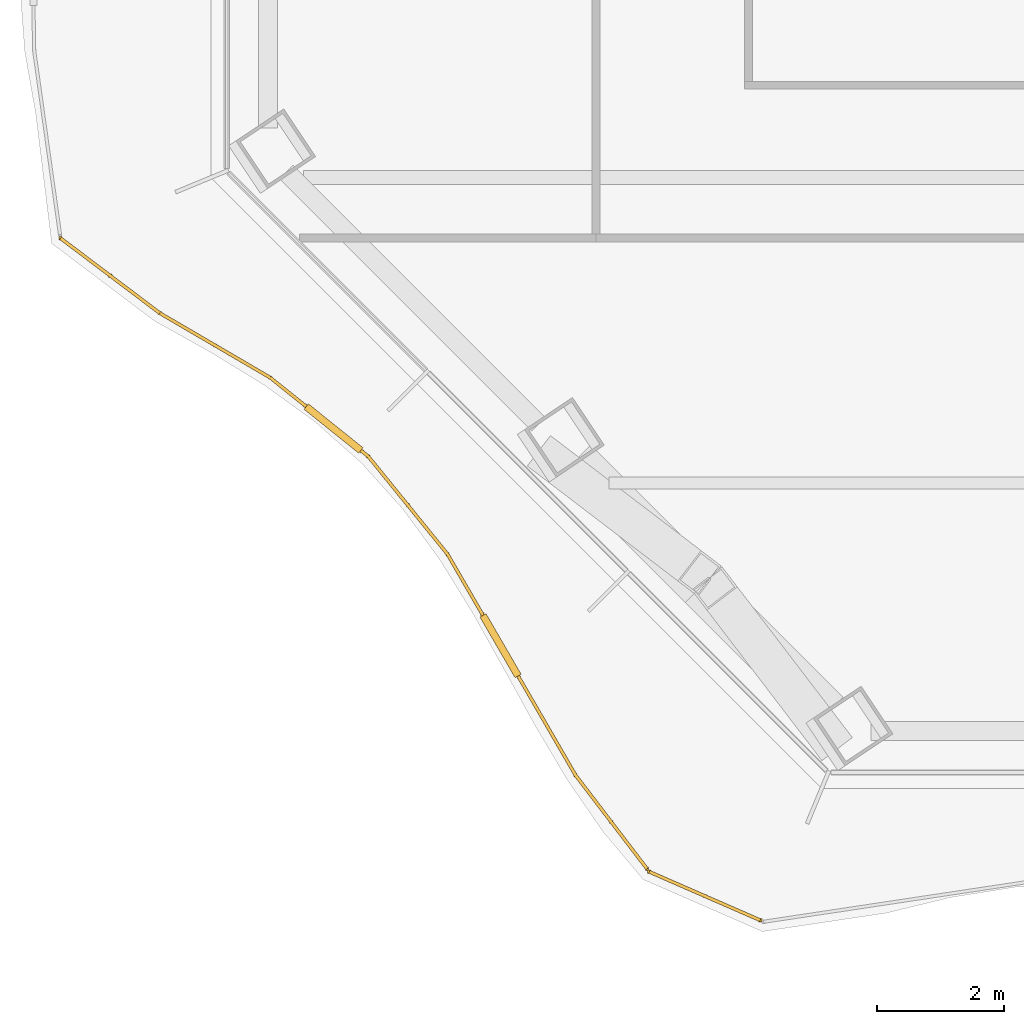
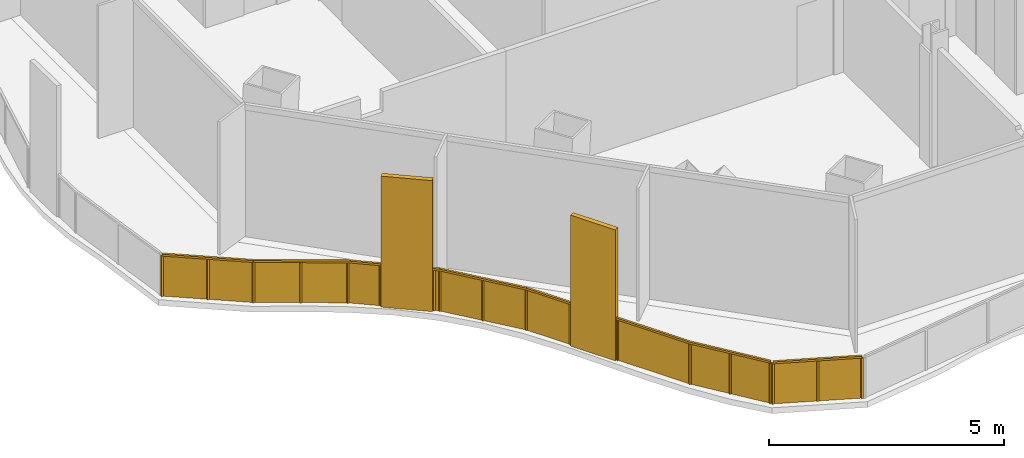
# One storey, part 14 of 20: 2 railings.
"""IFC4 building model written with IfcOpenShell, lengths in metres."""

from ifc_helpers import new_model, si_unit, direction, frame, origin, origin_2d, place, context, subcontext, project, spatial, polyline, rectangle, outline, extrude, material, type_object, element, save


model = new_model("IFC4")

# Units and contexts
model_context = context("Model", 3, precision=1e-05, world=origin(), true_north=direction((0.0, 1.0)))
body_context = subcontext(model_context, "Body", "Model", "MODEL_VIEW")
ifc_project = project(units=[si_unit("LENGTHUNIT", "METRE"), si_unit("AREAUNIT", "SQUARE_METRE"), si_unit("VOLUMEUNIT", "CUBIC_METRE"), si_unit("PLANEANGLEUNIT", "RADIAN"), si_unit("MASSUNIT", "GRAM", prefix="KILO")], contexts=[model_context])

# Site, building, storey
site_placement = place(None, origin())
site = spatial("IfcSite", under=ifc_project, at=site_placement, CompositionType="ELEMENT")
building_placement = place(site_placement, origin())
building = spatial("IfcBuilding", under=site, at=building_placement, Name="Cairn Pilgrim Tower", CompositionType="ELEMENT")
storey_placement = place(building_placement, frame((0.0, 0.0, 87.0)))
storey = spatial("IfcBuildingStorey", under=building, at=storey_placement, Name="L20", CompositionType="ELEMENT", Elevation=87.0)

# Railings
ifc_material_1 = material(Name="Bronze anodised aluminium rail and posts with laminated glass infill", Category="aluminium")
railing_type_1 = type_object("IfcRailingType", Name="BALCONY GUARD 1100", PredefinedType="GUARDRAIL", material=ifc_material_1)
railing_1_placement = place(storey_placement, frame((-21.90869140625, -25.310791015625, 0.0)))
element("IfcRailing", 1, at=railing_1_placement, inside=storey, type_object=railing_type_1, Name="Balcony guard BG-9", PredefinedType="GUARDRAIL", context=body_context, shape_type="SweptSolid", body=[
    extrude(rectangle(XDim=0.050048828125, YDim=0.050048828125, at=origin_2d()), frame((0.0, 0.0, 1.0751953125), z_axis=(0.916487156254, -0.400064110388, 0.0), x_axis=(0.400064110388, 0.916487156254, 0.0)), (0.0, 0.0, 1.0), 1.90087890625),
    extrude(rectangle(XDim=0.050048828125, YDim=0.050048828125, at=origin_2d()), origin(), (0.0, 0.0, 1.0), 1.050048828125),
    extrude(rectangle(XDim=0.050048828125, YDim=0.050048828125, at=origin_2d()), frame((0.87109375, -0.38037109375, 0.0)), (0.0, 0.0, 1.0), 1.050048828125),
    extrude(rectangle(XDim=0.050048828125, YDim=0.050048828125, at=origin_2d()), frame((1.7421875, -0.760498046875, 0.0)), (0.0, 0.0, 1.0), 1.050048828125),
    extrude(outline(polyline([(0.02490234375, 0.0), (0.925537109375, 0.0), (0.925537109375, 1.050048828125), (0.02490234375, 1.050048828125), (0.02490234375, 0.0)])), frame((0.00244140625, 0.00537109375, 0.0), z_axis=(-0.400064110388, -0.916487156254, 0.0), x_axis=(0.916487156254, -0.400064110388, 0.0)), (0.0, 0.0, 1.0), 0.011962890625),
    extrude(outline(polyline([(0.02490234375, 0.0), (0.925537109375, 0.0), (0.925537109375, 1.050048828125), (0.02490234375, 1.050048828125), (0.02490234375, 0.0)])), frame((0.87353515625, -0.374755859375, 0.0), z_axis=(-0.400064110388, -0.916487156254, 0.0), x_axis=(0.916487156254, -0.400064110388, 0.0)), (0.0, 0.0, 1.0), 0.011962890625),
])
ifc_material_2 = material(Name="Bronze anodised aluminium rail, posts and fin screens with laminated glass infill", Category="aluminium")
railing_type_2 = type_object("IfcRailingType", Name="BALCONY GUARD WITH FIN SCREENS", PredefinedType="GUARDRAIL", material=ifc_material_2)
railing_2_placement = place(storey_placement, frame((-31.16162109375, -15.353759765625, 0.0)))
element("IfcRailing", 2, at=railing_2_placement, inside=storey, type_object=railing_type_2, Name="Balcony guard BGF-8 with fin screens", PredefinedType="GUARDRAIL", context=body_context, shape_type="SweptSolid", body=[
    extrude(rectangle(XDim=0.050048828125, YDim=0.050048828125, at=origin_2d()), frame((0.0, 0.0, 1.0751953125), z_axis=(0.798272998618, -0.602295790852, 0.0), x_axis=(0.602295790852, 0.798272998618, 0.0)), (0.0, 0.0, 1.0), 1.95458984375),
    extrude(rectangle(XDim=0.050048828125, YDim=0.050048828125, at=origin_2d()), frame((1.560302734375, -1.17724609375, 1.0751953125), z_axis=(0.863443489761, -0.504445576835, 0.0), x_axis=(0.504445576835, 0.863443489761, 0.0)), (0.0, 0.0, 1.0), 2.007568359375),
    extrude(rectangle(XDim=1.10009765625, YDim=0.110107421875, at=origin_2d()), frame((4.2900390625, -2.990234375, 0.0), z_axis=(0.0, 0.0, 1.0), x_axis=(0.779699387019, -0.626154027283, 0.0)), (0.0, 0.0, 1.0), 3.39990234375),
    extrude(rectangle(XDim=0.050048828125, YDim=0.050048828125, at=origin_2d()), frame((3.293701171875, -2.18994140625, 1.0751953125), z_axis=(0.779699387019, -0.626154027283, 0.0), x_axis=(0.626154027283, 0.779699387019, 0.0)), (0.0, 0.0, 1.0), 0.72802734375),
    extrude(rectangle(XDim=0.050048828125, YDim=0.050048828125, at=origin_2d()), frame((4.718994140625, -3.33447265625, 1.0751953125), z_axis=(0.779699387019, -0.626154027283, 0.0), x_axis=(0.626154027283, 0.779699387019, 0.0)), (0.0, 0.0, 1.0), 0.150146484375),
    extrude(rectangle(XDim=0.050048828125, YDim=0.050048828125, at=origin_2d()), frame((4.8359375, -3.428466796875, 1.0751953125), z_axis=(0.629769752491, -0.77678186053, 0.0), x_axis=(0.77678186053, 0.629769752491, 0.0)), (0.0, 0.0, 1.0), 1.977783203125),
    extrude(rectangle(XDim=1.10009765625, YDim=0.110107421875, at=origin_2d()), frame((6.91455078125, -6.403076171875, 0.0), z_axis=(0.0, 0.0, 1.0), x_axis=(0.501223150103, -0.865318065107, 0.0)), (0.0, 0.0, 1.0), 3.39990234375),
    extrude(rectangle(XDim=0.050048828125, YDim=0.050048828125, at=origin_2d()), frame((6.08154296875, -4.96484375, 1.0751953125), z_axis=(0.501223150103, -0.865318065107, 0.0), x_axis=(0.865318065107, 0.501223150103, 0.0)), (0.0, 0.0, 1.0), 1.112060546875),
    extrude(rectangle(XDim=0.050048828125, YDim=0.050048828125, at=origin_2d()), frame((7.190185546875, -6.87890625, 1.0751953125), z_axis=(0.501223150103, -0.865318065107, 0.0), x_axis=(0.865318065107, 0.501223150103, 0.0)), (0.0, 0.0, 1.0), 1.804443359375),
    extrude(rectangle(XDim=0.050048828125, YDim=0.050048828125, at=origin_2d()), frame((8.0947265625, -8.4404296875, 1.0751953125), z_axis=(0.606930289674, -0.794755071375, 0.0), x_axis=(0.794755071375, 0.606930289674, 0.0)), (0.0, 0.0, 1.0), 1.848388671875),
    extrude(rectangle(XDim=0.050048828125, YDim=0.050048828125, at=origin_2d()), origin(), (0.0, 0.0, 1.0), 1.050048828125),
    extrude(rectangle(XDim=0.050048828125, YDim=0.050048828125, at=origin_2d()), frame((0.7802734375, -0.588623046875, 0.0)), (0.0, 0.0, 1.0), 1.050048828125),
    extrude(rectangle(XDim=0.050048828125, YDim=0.050048828125, at=origin_2d()), frame((1.560302734375, -1.17724609375, 0.0)), (0.0, 0.0, 1.0), 1.050048828125),
    extrude(rectangle(XDim=0.050048828125, YDim=0.050048828125, at=origin_2d()), frame((2.427001953125, -1.68359375, 0.0)), (0.0, 0.0, 1.0), 1.050048828125),
    extrude(rectangle(XDim=0.050048828125, YDim=0.050048828125, at=origin_2d()), frame((3.293701171875, -2.18994140625, 0.0)), (0.0, 0.0, 1.0), 1.050048828125),
    extrude(rectangle(XDim=0.050048828125, YDim=0.050048828125, at=origin_2d()), frame((3.841796875, -2.630126953125, 0.0)), (0.0, 0.0, 1.0), 1.050048828125),
    extrude(rectangle(XDim=0.050048828125, YDim=0.050048828125, at=origin_2d()), frame((4.738525390625, -3.35009765625, 0.0)), (0.0, 0.0, 1.0), 1.050048828125),
    extrude(rectangle(XDim=0.050048828125, YDim=0.050048828125, at=origin_2d()), frame((4.8359375, -3.428466796875, 0.0)), (0.0, 0.0, 1.0), 1.050048828125),
    extrude(rectangle(XDim=0.050048828125, YDim=0.050048828125, at=origin_2d()), frame((5.458740234375, -4.19677734375, 0.0)), (0.0, 0.0, 1.0), 1.050048828125),
    extrude(rectangle(XDim=0.050048828125, YDim=0.050048828125, at=origin_2d()), frame((6.08154296875, -4.96484375, 0.0)), (0.0, 0.0, 1.0), 1.050048828125),
    extrude(rectangle(XDim=0.050048828125, YDim=0.050048828125, at=origin_2d()), frame((6.62646484375, -5.905517578125, 0.0)), (0.0, 0.0, 1.0), 1.050048828125),
    extrude(rectangle(XDim=0.050048828125, YDim=0.050048828125, at=origin_2d()), frame((7.202880859375, -6.900634765625, 0.0)), (0.0, 0.0, 1.0), 1.050048828125),
    extrude(rectangle(XDim=0.050048828125, YDim=0.050048828125, at=origin_2d()), frame((8.0947265625, -8.4404296875, 0.0)), (0.0, 0.0, 1.0), 1.050048828125),
    extrude(rectangle(XDim=0.050048828125, YDim=0.050048828125, at=origin_2d()), frame((8.65576171875, -9.1748046875, 0.0)), (0.0, 0.0, 1.0), 1.050048828125),
    extrude(rectangle(XDim=0.050048828125, YDim=0.050048828125, at=origin_2d()), frame((9.216552734375, -9.909423828125, 0.0)), (0.0, 0.0, 1.0), 1.050048828125),
    extrude(outline(polyline([(0.02490234375, 0.0), (0.952392578125, 0.0), (0.952392578125, 1.050048828125), (0.02490234375, 1.050048828125), (0.02490234375, 0.0)])), frame((0.003662109375, 0.0048828125, 0.0), z_axis=(-0.602295790852, -0.798272998618, 0.0), x_axis=(0.798272998618, -0.602295790852, 0.0)), (0.0, 0.0, 1.0), 0.011962890625),
    extrude(outline(polyline([(0.02490234375, 0.0), (0.952392578125, 0.0), (0.952392578125, 1.050048828125), (0.02490234375, 1.050048828125), (0.02490234375, 0.0)])), frame((0.78369140625, -0.583740234375, 0.0), z_axis=(-0.602295790852, -0.798272998618, 0.0), x_axis=(0.798272998618, -0.602295790852, 0.0)), (0.0, 0.0, 1.0), 0.011962890625),
    extrude(outline(polyline([(0.02490234375, 0.0), (0.978759765625, 0.0), (0.978759765625, 1.050048828125), (0.02490234375, 1.050048828125), (0.02490234375, 0.0)])), frame((1.563232421875, -1.172119140625, 0.0), z_axis=(-0.504445576835, -0.863443489761, 0.0), x_axis=(0.863443489761, -0.504445576835, 0.0)), (0.0, 0.0, 1.0), 0.011962890625),
    extrude(outline(polyline([(0.02490234375, 0.0), (0.978759765625, 0.0), (0.978759765625, 1.050048828125), (0.02490234375, 1.050048828125), (0.02490234375, 0.0)])), frame((2.429931640625, -1.678466796875, 0.0), z_axis=(-0.504445576835, -0.863443489761, 0.0), x_axis=(0.863443489761, -0.504445576835, 0.0)), (0.0, 0.0, 1.0), 0.011962890625),
    extrude(outline(polyline([(0.02490234375, 0.0), (0.677978515625, 0.0), (0.677978515625, 1.050048828125), (0.02490234375, 1.050048828125), (0.02490234375, 0.0)])), frame((3.29736328125, -2.185302734375, 0.0), z_axis=(-0.626154027283, -0.779699387019, 0.0), x_axis=(0.779699387019, -0.626154027283, 0.0)), (0.0, 0.0, 1.0), 0.011962890625),
    extrude(outline(polyline([(0.02490234375, 0.0), (0.10009765625, 0.0), (0.10009765625, 1.050048828125), (0.02490234375, 1.050048828125), (0.02490234375, 0.0)])), frame((4.7421875, -3.345458984375, 0.0), z_axis=(-0.626154027283, -0.779699387019, 0.0), x_axis=(0.779699387019, -0.626154027283, 0.0)), (0.0, 0.0, 1.0), 0.011962890625),
    extrude(outline(polyline([(0.02490234375, 0.0), (0.9638671875, 0.0), (0.9638671875, 1.050048828125), (0.02490234375, 1.050048828125), (0.02490234375, 0.0)])), frame((4.840576171875, -3.4248046875, 0.0), z_axis=(-0.77678186053, -0.629769752491, 0.0), x_axis=(0.629769752491, -0.77678186053, 0.0)), (0.0, 0.0, 1.0), 0.011962890625),
    extrude(outline(polyline([(0.02490234375, 0.0), (0.9638671875, 0.0), (0.9638671875, 1.050048828125), (0.02490234375, 1.050048828125), (0.02490234375, 0.0)])), frame((5.46337890625, -4.19287109375, 0.0), z_axis=(-0.77678186053, -0.629769752491, 0.0), x_axis=(0.629769752491, -0.77678186053, 0.0)), (0.0, 0.0, 1.0), 0.011962890625),
    extrude(outline(polyline([(0.02490234375, 0.0), (1.06201171875, 0.0), (1.06201171875, 1.050048828125), (0.02490234375, 1.050048828125), (0.02490234375, 0.0)])), frame((6.086669921875, -4.9619140625, 0.0), z_axis=(-0.865318065107, -0.501223150103, 0.0), x_axis=(0.501223150103, -0.865318065107, 0.0)), (0.0, 0.0, 1.0), 0.011962890625),
    extrude(outline(polyline([(0.02490234375, 0.0), (1.75439453125, 0.0), (1.75439453125, 1.050048828125), (0.02490234375, 1.050048828125), (0.02490234375, 0.0)])), frame((7.2080078125, -6.8974609375, 0.0), z_axis=(-0.865318065107, -0.501223150103, 0.0), x_axis=(0.501223150103, -0.865318065107, 0.0)), (0.0, 0.0, 1.0), 0.011962890625),
    extrude(outline(polyline([(0.02490234375, 0.0), (0.899169921875, 0.0), (0.899169921875, 1.050048828125), (0.02490234375, 1.050048828125), (0.02490234375, 0.0)])), frame((8.099365234375, -8.436767578125, 0.0), z_axis=(-0.794755071375, -0.606930289674, 0.0), x_axis=(0.606930289674, -0.794755071375, 0.0)), (0.0, 0.0, 1.0), 0.011962890625),
    extrude(outline(polyline([(0.02490234375, 0.0), (0.899169921875, 0.0), (0.899169921875, 1.050048828125), (0.02490234375, 1.050048828125), (0.02490234375, 0.0)])), frame((8.660400390625, -9.17138671875, 0.0), z_axis=(-0.794755071375, -0.606930289674, 0.0), x_axis=(0.606930289674, -0.794755071375, 0.0)), (0.0, 0.0, 1.0), 0.011962890625),
])

save(model, "model.ifc")
